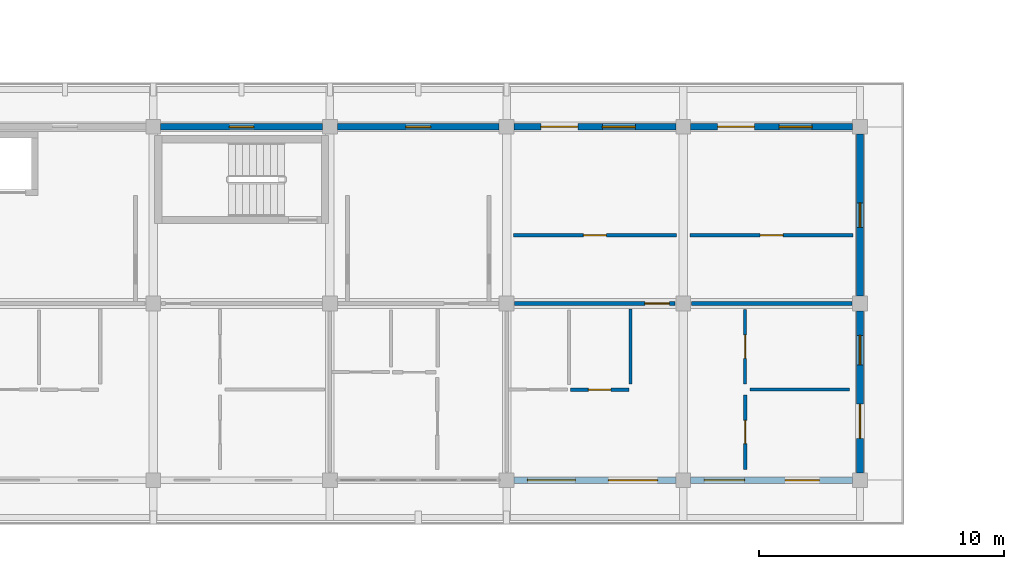
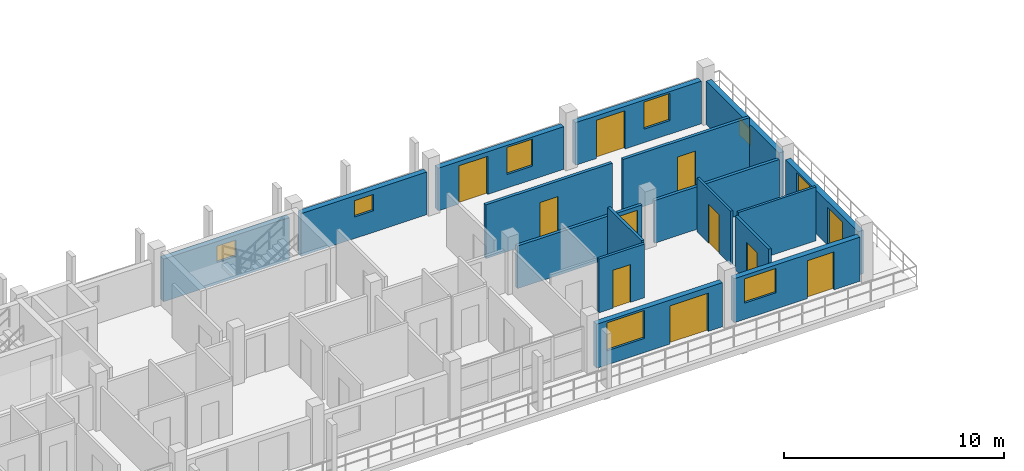
# One storey, part 41 of 76: 17 walls, 11 doors, 8 windows, 19 openings.
"""IFC4 building model written with IfcOpenShell, lengths in metres."""

from ifc_helpers import new_model, si_unit, direction, frame, frame_2d, origin, place, context, subcontext, project, spatial, rectangle, extrude, material, layer, layer_set, type_object, element, fill, save


model = new_model("IFC4")

# Units and contexts
model_context = context("Model", 3, precision=1e-05, world=origin(), true_north=direction((0.0, 1.0)))
body_context = subcontext(model_context, "Body", "Model", "MODEL_VIEW")
ifc_project = project(units=[si_unit("LENGTHUNIT", "METRE"), si_unit("AREAUNIT", "SQUARE_METRE"), si_unit("VOLUMEUNIT", "CUBIC_METRE"), si_unit("PLANEANGLEUNIT", "RADIAN"), si_unit("MASSUNIT", "GRAM", prefix="KILO")], contexts=[model_context])

# Site, building, storey
site_placement = place(None, origin())
site = spatial("IfcSite", under=ifc_project, at=site_placement, CompositionType="ELEMENT")
building_placement = place(site_placement, origin())
building = spatial("IfcBuilding", under=site, at=building_placement, Name="Suanplinth Sawtooth Commons", CompositionType="ELEMENT")
storey_placement = place(building_placement, frame((0.0, 0.0, 12.199951171875)))
storey = spatial("IfcBuildingStorey", under=building, at=storey_placement, Name="L03", CompositionType="ELEMENT", Elevation=12.199951171875)

# Wall, opening, window
ifc_material_1 = material(Name="Precast concrete C40/50", Category="concrete")
ifc_layer_1 = layer(ifc_material_1, 0.280029296875, Name="Insulated precast architectural facade wall 280mm")
ifc_layer_set_1 = layer_set([ifc_layer_1], Name="Precast concrete C40/50")
wall_type_1 = type_object("IfcWallType", Name="W-EX01", PredefinedType="ELEMENTEDWALL", material=ifc_layer_set_1)
wall_1_placement = place(storey_placement, frame((29.10009765625, 14.39990234375, 0.0), z_axis=(0.0, 0.0, 1.0), x_axis=(1.0, 0.0, 0.0)))
wall_1 = element("IfcWall", 1, at=wall_1_placement, inside=storey, type_object=wall_type_1, Name="Facade Wall W-L03-D-N-4-1", PredefinedType="ELEMENTEDWALL", context=body_context, shape_type="SweptSolid", body=[
    extrude(rectangle(XDim=6.599853515625, YDim=0.280029296875, at=frame_2d((3.2998046875, 0.0))), origin(), (0.0, 0.0, 1.0), 2.364990234375),
])
opening_1_placement = place(wall_1_placement, frame((2.800048828125, 0.0, 1.199951171875)))
opening_1 = element("IfcOpeningElement", 2, at=opening_1_placement, cuts=wall_1, Name="Opening W0406", PredefinedType="OPENING", context=body_context, shape_type="SweptSolid", body=[
    extrude(rectangle(XDim=1.0, YDim=0.89990234375, at=frame_2d((0.5, 0.449951171875))), frame((0.0, 0.15478515625, 0.0), z_axis=(0.0, -1.0, 0.0), x_axis=(1.0, 0.0, 0.0)), (0.0, 0.0, 1.0), 0.309814453125),
])
ifc_material_2 = material(Name="Thermally broken aluminium and low-E double glazing", Category="aluminium")
window_type_1 = type_object("IfcWindowType", Name="WN-12", PartitioningType="SINGLE_PANEL", PredefinedType="WINDOW", material=ifc_material_2)
window_1_placement = place(opening_1_placement, origin())
window_1 = element("IfcWindow", 3, at=window_1_placement, inside=storey, type_object=window_type_1, Name="Core Daylight Window L03-D-4-1", OverallHeight=0.89990234375, OverallWidth=1.0, PartitioningType="SINGLE_PANEL", PredefinedType="WINDOW", context=body_context, shape_type="SweptSolid", body=[
    extrude(rectangle(XDim=1.0, YDim=0.89990234375, at=frame_2d((0.5, 0.449951171875))), frame((0.0, 0.030029296875, 0.0), z_axis=(0.0, -1.0, 0.0), x_axis=(1.0, 0.0, 0.0)), (0.0, 0.0, 1.0), 0.06005859375),
])
fill(opening_1, window_1)

wall_2_placement = place(storey_placement, frame((36.300048828125, 14.39990234375, 0.0), z_axis=(0.0, 0.0, 1.0), x_axis=(1.0, 0.0, 0.0)))
wall_2 = element("IfcWall", 4, at=wall_2_placement, inside=storey, type_object=wall_type_1, Name="Facade Wall W-L03-D-N-5-1", PredefinedType="ELEMENTEDWALL", context=body_context, shape_type="SweptSolid", body=[
    extrude(rectangle(XDim=6.599853515625, YDim=0.280029296875, at=frame_2d((3.2998046875, 0.0))), origin(), (0.0, 0.0, 1.0), 2.364990234375),
])
opening_2_placement = place(wall_2_placement, frame((2.800048828125, 0.0, 1.199951171875)))
opening_2 = element("IfcOpeningElement", 5, at=opening_2_placement, cuts=wall_2, Name="Opening W0407", PredefinedType="OPENING", context=body_context, shape_type="SweptSolid", body=[
    extrude(rectangle(XDim=1.0, YDim=0.89990234375, at=frame_2d((0.5, 0.449951171875))), frame((0.0, 0.15478515625, 0.0), z_axis=(0.0, -1.0, 0.0), x_axis=(1.0, 0.0, 0.0)), (0.0, 0.0, 1.0), 0.309814453125),
])
window_2_placement = place(opening_2_placement, origin())
window_2 = element("IfcWindow", 6, at=window_2_placement, inside=storey, type_object=window_type_1, Name="Core Daylight Window L03-D-5-1", OverallHeight=0.89990234375, OverallWidth=1.0, PartitioningType="SINGLE_PANEL", PredefinedType="WINDOW", context=body_context, shape_type="SweptSolid", body=[
    extrude(rectangle(XDim=1.0, YDim=0.89990234375, at=frame_2d((0.5, 0.449951171875))), frame((0.0, 0.030029296875, 0.0), z_axis=(0.0, -1.0, 0.0), x_axis=(1.0, 0.0, 0.0)), (0.0, 0.0, 1.0), 0.06005859375),
])
fill(opening_2, window_2)

# Wall, openings, door, window
wall_3_placement = place(storey_placement, frame((43.5, 0.0, 0.0), z_axis=(0.0, 0.0, 1.0), x_axis=(1.0, 0.0, 0.0)))
wall_3 = element("IfcWall", 7, at=wall_3_placement, inside=storey, type_object=wall_type_1, Name="Facade Wall W-L03-D-S-6-0", PredefinedType="ELEMENTEDWALL", context=body_context, shape_type="SweptSolid", body=[
    extrude(rectangle(XDim=6.60009765625, YDim=0.280029296875, at=frame_2d((3.300048828125, 0.0))), origin(), (0.0, 0.0, 1.0), 2.445068359375),
])
opening_3_placement = place(wall_3_placement, frame((3.85009765625, 0.0, 0.0)))
opening_3 = element("IfcOpeningElement", 8, at=opening_3_placement, cuts=wall_3, Name="Opening ED0304", PredefinedType="OPENING", context=body_context, shape_type="SweptSolid", body=[
    extrude(rectangle(XDim=2.0, YDim=2.1201171875, at=frame_2d((1.0, 1.06005859375))), frame((0.0, 0.15478515625, 0.0), z_axis=(0.0, -1.0, 0.0), x_axis=(1.0, 0.0, 0.0)), (0.0, 0.0, 1.0), 0.309814453125),
])
opening_4_placement = place(wall_3_placement, frame((0.550048828125, 0.0, 0.784912109375)))
opening_4 = element("IfcOpeningElement", 9, at=opening_4_placement, cuts=wall_3, Name="Opening W0408", PredefinedType="OPENING", context=body_context, shape_type="SweptSolid", body=[
    extrude(rectangle(XDim=1.949951171875, YDim=1.550048828125, at=frame_2d((0.97509765625, 0.77490234375))), frame((0.0, 0.15478515625, 0.0), z_axis=(0.0, -1.0, 0.0), x_axis=(1.0, 0.0, 0.0)), (0.0, 0.0, 1.0), 0.309814453125),
])
ifc_material_3 = material(Name="Anodized aluminium and low-E glass", Category="aluminium")
door_type_1 = type_object("IfcDoorType", Name="SD-06", OperationType="DOUBLE_DOOR_SLIDING", PredefinedType="DOOR", material=ifc_material_3)
door_1_placement = place(opening_3_placement, frame((2.0, 0.0, 0.0), z_axis=(0.0, 0.0, 1.0), x_axis=(-1.0, 0.0, 0.0)))
door_1 = element("IfcDoor", 10, at=door_1_placement, inside=storey, type_object=door_type_1, Name="Balcony Sliding Door L03-D-6", OperationType="DOUBLE_DOOR_SLIDING", OverallHeight=2.1201171875, OverallWidth=2.0, PredefinedType="DOOR", context=body_context, shape_type="SweptSolid", body=[
    extrude(rectangle(XDim=2.0, YDim=2.1201171875, at=frame_2d((1.0, 1.06005859375))), frame((0.0, 0.02490234375, 0.0), z_axis=(0.0, -1.0, 0.0), x_axis=(1.0, 0.0, 0.0)), (0.0, 0.0, 1.0), 0.050048828125),
])
fill(opening_3, door_1)
window_type_2 = type_object("IfcWindowType", Name="WN-18", PartitioningType="DOUBLE_PANEL_VERTICAL", PredefinedType="WINDOW", material=ifc_material_2)
window_3_placement = place(opening_4_placement, origin())
window_3 = element("IfcWindow", 11, at=window_3_placement, inside=storey, type_object=window_type_2, Name="Apartment Window L03-D-6", OverallHeight=1.550048828125, OverallWidth=1.949951171875, PartitioningType="DOUBLE_PANEL_VERTICAL", PredefinedType="WINDOW", context=body_context, shape_type="SweptSolid", body=[
    extrude(rectangle(XDim=1.949951171875, YDim=1.550048828125, at=frame_2d((0.97509765625, 0.77490234375))), frame((0.0, 0.030029296875, 0.0), z_axis=(0.0, -1.0, 0.0), x_axis=(1.0, 0.0, 0.0)), (0.0, 0.0, 1.0), 0.06005859375),
])
fill(opening_4, window_3)

wall_4_placement = place(storey_placement, frame((43.5, 14.39990234375, 0.0), z_axis=(0.0, 0.0, 1.0), x_axis=(1.0, 0.0, 0.0)))
wall_4 = element("IfcWall", 12, at=wall_4_placement, inside=storey, type_object=wall_type_1, Name="Facade Wall W-L03-D-N-6-1", PredefinedType="ELEMENTEDWALL", context=body_context, shape_type="SweptSolid", body=[
    extrude(rectangle(XDim=6.60009765625, YDim=0.280029296875, at=frame_2d((3.300048828125, 0.0))), origin(), (0.0, 0.0, 1.0), 2.364990234375),
])
opening_5_placement = place(wall_4_placement, frame((1.10009765625, 0.0, 0.0)))
opening_5 = element("IfcOpeningElement", 13, at=opening_5_placement, cuts=wall_4, Name="Opening ED0305", PredefinedType="OPENING", context=body_context, shape_type="SweptSolid", body=[
    extrude(rectangle(XDim=1.5, YDim=2.1201171875, at=frame_2d((0.75, 1.06005859375))), frame((0.0, 0.15478515625, 0.0), z_axis=(0.0, -1.0, 0.0), x_axis=(1.0, 0.0, 0.0)), (0.0, 0.0, 1.0), 0.309814453125),
])
opening_6_placement = place(wall_4_placement, frame((3.60009765625, 0.0, 0.7548828125)))
opening_6 = element("IfcOpeningElement", 14, at=opening_6_placement, cuts=wall_4, Name="Opening W0409", PredefinedType="OPENING", context=body_context, shape_type="SweptSolid", body=[
    extrude(rectangle(XDim=1.35009765625, YDim=1.5, at=frame_2d((0.675048828125, 0.75))), frame((0.0, 0.15478515625, 0.0), z_axis=(0.0, -1.0, 0.0), x_axis=(1.0, 0.0, 0.0)), (0.0, 0.0, 1.0), 0.309814453125),
])
door_type_2 = type_object("IfcDoorType", Name="SD-03", OperationType="SLIDING_TO_LEFT", PredefinedType="DOOR", material=ifc_material_3)
door_2_placement = place(opening_5_placement, frame((1.5, 0.0, 0.0), z_axis=(0.0, 0.0, 1.0), x_axis=(-1.0, 0.0, 0.0)))
door_2 = element("IfcDoor", 15, at=door_2_placement, inside=storey, type_object=door_type_2, Name="Courtyard Balcony Door L03-D-6", OperationType="SLIDING_TO_LEFT", OverallHeight=2.1201171875, OverallWidth=1.5, PredefinedType="DOOR", context=body_context, shape_type="SweptSolid", body=[
    extrude(rectangle(XDim=1.5, YDim=2.1201171875, at=frame_2d((0.75, 1.06005859375))), frame((0.0, 0.02490234375, 0.0), z_axis=(0.0, -1.0, 0.0), x_axis=(1.0, 0.0, 0.0)), (0.0, 0.0, 1.0), 0.050048828125),
])
fill(opening_5, door_2)
window_type_3 = type_object("IfcWindowType", Name="WN-14", PartitioningType="SINGLE_PANEL", PredefinedType="WINDOW", material=ifc_material_2)
window_4_placement = place(opening_6_placement, origin())
window_4 = element("IfcWindow", 16, at=window_4_placement, inside=storey, type_object=window_type_3, Name="Courtyard Window L03-D-6", OverallHeight=1.5, OverallWidth=1.35009765625, PartitioningType="SINGLE_PANEL", PredefinedType="WINDOW", context=body_context, shape_type="SweptSolid", body=[
    extrude(rectangle(XDim=1.35009765625, YDim=1.5, at=frame_2d((0.675048828125, 0.75))), frame((0.0, 0.030029296875, 0.0), z_axis=(0.0, -1.0, 0.0), x_axis=(1.0, 0.0, 0.0)), (0.0, 0.0, 1.0), 0.06005859375),
])
fill(opening_6, window_4)

wall_5_placement = place(storey_placement, frame((50.699951171875, 0.0, 0.0), z_axis=(0.0, 0.0, 1.0), x_axis=(1.0, 0.0, 0.0)))
wall_5 = element("IfcWall", 17, at=wall_5_placement, inside=storey, type_object=wall_type_1, Name="Facade Wall W-L03-D-S-7-0", PredefinedType="ELEMENTEDWALL", context=body_context, shape_type="SweptSolid", body=[
    extrude(rectangle(XDim=6.60009765625, YDim=0.280029296875, at=frame_2d((3.300048828125, 0.0))), origin(), (0.0, 0.0, 1.0), 2.445068359375),
])
opening_7_placement = place(wall_5_placement, frame((3.85009765625, 0.0, 0.0)))
opening_7 = element("IfcOpeningElement", 18, at=opening_7_placement, cuts=wall_5, Name="Opening ED0306", PredefinedType="OPENING", context=body_context, shape_type="SweptSolid", body=[
    extrude(rectangle(XDim=1.39990234375, YDim=2.10009765625, at=frame_2d((0.699951171875, 1.050048828125))), frame((0.0, 0.15478515625, 0.0), z_axis=(0.0, -1.0, 0.0), x_axis=(1.0, 0.0, 0.0)), (0.0, 0.0, 1.0), 0.309814453125),
])
opening_8_placement = place(wall_5_placement, frame((0.550048828125, 0.0, 0.89990234375)))
opening_8 = element("IfcOpeningElement", 19, at=opening_8_placement, cuts=wall_5, Name="Opening W0410", PredefinedType="OPENING", context=body_context, shape_type="SweptSolid", body=[
    extrude(rectangle(XDim=1.64990234375, YDim=1.35009765625, at=frame_2d((0.824951171875, 0.675048828125))), frame((0.0, 0.15478515625, 0.0), z_axis=(0.0, -1.0, 0.0), x_axis=(1.0, 0.0, 0.0)), (0.0, 0.0, 1.0), 0.309814453125),
])
door_type_3 = type_object("IfcDoorType", Name="SD-07", OperationType="SLIDING_TO_RIGHT", PredefinedType="DOOR", material=ifc_material_3)
door_3_placement = place(opening_7_placement, frame((1.39990234375, 0.0, 0.0), z_axis=(0.0, 0.0, 1.0), x_axis=(-1.0, 0.0, 0.0)))
door_3 = element("IfcDoor", 20, at=door_3_placement, inside=storey, type_object=door_type_3, Name="Balcony Sliding Door L03-D-7", OperationType="SLIDING_TO_RIGHT", OverallHeight=2.10009765625, OverallWidth=1.39990234375, PredefinedType="DOOR", context=body_context, shape_type="SweptSolid", body=[
    extrude(rectangle(XDim=1.39990234375, YDim=2.10009765625, at=frame_2d((0.699951171875, 1.050048828125))), frame((0.0, 0.02490234375, 0.0), z_axis=(0.0, -1.0, 0.0), x_axis=(1.0, 0.0, 0.0)), (0.0, 0.0, 1.0), 0.050048828125),
])
fill(opening_7, door_3)
window_type_4 = type_object("IfcWindowType", Name="WN-19", PartitioningType="DOUBLE_PANEL_VERTICAL", PredefinedType="WINDOW", material=ifc_material_2)
window_5_placement = place(opening_8_placement, origin())
window_5 = element("IfcWindow", 21, at=window_5_placement, inside=storey, type_object=window_type_4, Name="Apartment Window L03-D-7", OverallHeight=1.35009765625, OverallWidth=1.64990234375, PartitioningType="DOUBLE_PANEL_VERTICAL", PredefinedType="WINDOW", context=body_context, shape_type="SweptSolid", body=[
    extrude(rectangle(XDim=1.64990234375, YDim=1.35009765625, at=frame_2d((0.824951171875, 0.675048828125))), frame((0.0, 0.030029296875, 0.0), z_axis=(0.0, -1.0, 0.0), x_axis=(1.0, 0.0, 0.0)), (0.0, 0.0, 1.0), 0.06005859375),
])
fill(opening_8, window_5)

wall_6_placement = place(storey_placement, frame((57.60009765625, 0.300048828125, 0.0), z_axis=(0.0, 0.0, 1.0), x_axis=(0.0, 1.0, 0.0)))
wall_6 = element("IfcWall", 22, at=wall_6_placement, inside=storey, type_object=wall_type_1, Name="Facade Wall W-L03-D-E-7-0", PredefinedType="ELEMENTEDWALL", context=body_context, shape_type="SweptSolid", body=[
    extrude(rectangle(XDim=6.599853515625, YDim=0.280029296875, at=frame_2d((3.2998046875, 0.0))), origin(), (0.0, 0.0, 1.0), 2.4150390625),
])
opening_9_placement = place(wall_6_placement, frame((1.39990234375, 0.0, 0.0)))
opening_9 = element("IfcOpeningElement", 23, at=opening_9_placement, cuts=wall_6, Name="Opening ED0307", PredefinedType="OPENING", context=body_context, shape_type="SweptSolid", body=[
    extrude(rectangle(XDim=1.39990234375, YDim=2.10009765625, at=frame_2d((0.699951171875, 1.050048828125))), frame((0.0, 0.15478515625, 0.0), z_axis=(0.0, -1.0, 0.0), x_axis=(1.0, 0.0, 0.0)), (0.0, 0.0, 1.0), 0.309814453125),
])
opening_10_placement = place(wall_6_placement, frame((4.39990234375, 0.0, 0.949951171875)))
opening_10 = element("IfcOpeningElement", 24, at=opening_10_placement, cuts=wall_6, Name="Opening W0411", PredefinedType="OPENING", context=body_context, shape_type="SweptSolid", body=[
    extrude(rectangle(XDim=1.199951171875, YDim=1.35009765625, at=frame_2d((0.60009765625, 0.675048828125))), frame((0.0, 0.15478515625, 0.0), z_axis=(0.0, -1.0, 0.0), x_axis=(1.0, 0.0, 0.0)), (0.0, 0.0, 1.0), 0.309814453125),
])
door_4_placement = place(opening_9_placement, frame((1.39990234375, 0.0, 0.0), z_axis=(0.0, 0.0, 1.0), x_axis=(-1.0, 0.0, 0.0)))
door_4 = element("IfcDoor", 25, at=door_4_placement, inside=storey, type_object=door_type_3, Name="End Balcony Sliding Door L03-D-E-7-0", OperationType="SLIDING_TO_RIGHT", OverallHeight=2.10009765625, OverallWidth=1.39990234375, PredefinedType="DOOR", context=body_context, shape_type="SweptSolid", body=[
    extrude(rectangle(XDim=1.39990234375, YDim=2.10009765625, at=frame_2d((0.699951171875, 1.050048828125))), frame((0.0, 0.02490234375, 0.0), z_axis=(0.0, -1.0, 0.0), x_axis=(1.0, 0.0, 0.0)), (0.0, 0.0, 1.0), 0.050048828125),
])
fill(opening_9, door_4)
window_type_5 = type_object("IfcWindowType", Name="WN-03", PartitioningType="SINGLE_PANEL", PredefinedType="WINDOW", material=ifc_material_2)
window_6_placement = place(opening_10_placement, origin())
window_6 = element("IfcWindow", 26, at=window_6_placement, inside=storey, type_object=window_type_5, Name="End Bedroom Window L03-D-7-0", OverallHeight=1.35009765625, OverallWidth=1.199951171875, PartitioningType="SINGLE_PANEL", PredefinedType="WINDOW", context=body_context, shape_type="SweptSolid", body=[
    extrude(rectangle(XDim=1.199951171875, YDim=1.35009765625, at=frame_2d((0.60009765625, 0.675048828125))), frame((0.0, 0.030029296875, 0.0), z_axis=(0.0, -1.0, 0.0), x_axis=(1.0, 0.0, 0.0)), (0.0, 0.0, 1.0), 0.06005859375),
])
fill(opening_10, window_6)

wall_7_placement = place(storey_placement, frame((50.699951171875, 14.39990234375, 0.0), z_axis=(0.0, 0.0, 1.0), x_axis=(1.0, 0.0, 0.0)))
wall_7 = element("IfcWall", 27, at=wall_7_placement, inside=storey, type_object=wall_type_1, Name="Facade Wall W-L03-D-N-7-1", PredefinedType="ELEMENTEDWALL", context=body_context, shape_type="SweptSolid", body=[
    extrude(rectangle(XDim=6.60009765625, YDim=0.280029296875, at=frame_2d((3.300048828125, 0.0))), origin(), (0.0, 0.0, 1.0), 2.364990234375),
])
opening_11_placement = place(wall_7_placement, frame((1.10009765625, 0.0, 0.0)))
opening_11 = element("IfcOpeningElement", 28, at=opening_11_placement, cuts=wall_7, Name="Opening ED0308", PredefinedType="OPENING", context=body_context, shape_type="SweptSolid", body=[
    extrude(rectangle(XDim=1.5, YDim=2.1201171875, at=frame_2d((0.75, 1.06005859375))), frame((0.0, 0.15478515625, 0.0), z_axis=(0.0, -1.0, 0.0), x_axis=(1.0, 0.0, 0.0)), (0.0, 0.0, 1.0), 0.309814453125),
])
opening_12_placement = place(wall_7_placement, frame((3.60009765625, 0.0, 0.7548828125)))
opening_12 = element("IfcOpeningElement", 29, at=opening_12_placement, cuts=wall_7, Name="Opening W0412", PredefinedType="OPENING", context=body_context, shape_type="SweptSolid", body=[
    extrude(rectangle(XDim=1.35009765625, YDim=1.5, at=frame_2d((0.675048828125, 0.75))), frame((0.0, 0.15478515625, 0.0), z_axis=(0.0, -1.0, 0.0), x_axis=(1.0, 0.0, 0.0)), (0.0, 0.0, 1.0), 0.309814453125),
])
door_5_placement = place(opening_11_placement, frame((1.5, 0.0, 0.0), z_axis=(0.0, 0.0, 1.0), x_axis=(-1.0, 0.0, 0.0)))
door_5 = element("IfcDoor", 30, at=door_5_placement, inside=storey, type_object=door_type_2, Name="Courtyard Balcony Door L03-D-7", OperationType="SLIDING_TO_LEFT", OverallHeight=2.1201171875, OverallWidth=1.5, PredefinedType="DOOR", context=body_context, shape_type="SweptSolid", body=[
    extrude(rectangle(XDim=1.5, YDim=2.1201171875, at=frame_2d((0.75, 1.06005859375))), frame((0.0, 0.02490234375, 0.0), z_axis=(0.0, -1.0, 0.0), x_axis=(1.0, 0.0, 0.0)), (0.0, 0.0, 1.0), 0.050048828125),
])
fill(opening_11, door_5)
window_7_placement = place(opening_12_placement, origin())
window_7 = element("IfcWindow", 31, at=window_7_placement, inside=storey, type_object=window_type_3, Name="Courtyard Window L03-D-7", OverallHeight=1.5, OverallWidth=1.35009765625, PartitioningType="SINGLE_PANEL", PredefinedType="WINDOW", context=body_context, shape_type="SweptSolid", body=[
    extrude(rectangle(XDim=1.35009765625, YDim=1.5, at=frame_2d((0.675048828125, 0.75))), frame((0.0, 0.030029296875, 0.0), z_axis=(0.0, -1.0, 0.0), x_axis=(1.0, 0.0, 0.0)), (0.0, 0.0, 1.0), 0.06005859375),
])
fill(opening_12, window_7)

# Wall, opening, window
wall_8_placement = place(storey_placement, frame((57.60009765625, 7.5, 0.0), z_axis=(0.0, 0.0, 1.0), x_axis=(0.0, 1.0, 0.0)))
wall_8 = element("IfcWall", 32, at=wall_8_placement, inside=storey, type_object=wall_type_1, Name="Facade Wall W-L03-D-E-7-1", PredefinedType="ELEMENTEDWALL", context=body_context, shape_type="SweptSolid", body=[
    extrude(rectangle(XDim=6.60009765625, YDim=0.280029296875, at=frame_2d((3.300048828125, 0.0))), origin(), (0.0, 0.0, 1.0), 2.4150390625),
])
opening_13_placement = place(wall_8_placement, frame((2.800048828125, 0.0, 1.10009765625)))
opening_13 = element("IfcOpeningElement", 33, at=opening_13_placement, cuts=wall_8, Name="Opening W0413", PredefinedType="OPENING", context=body_context, shape_type="SweptSolid", body=[
    extrude(rectangle(XDim=1.0, YDim=0.89990234375, at=frame_2d((0.5, 0.449951171875))), frame((0.0, 0.15478515625, 0.0), z_axis=(0.0, -1.0, 0.0), x_axis=(1.0, 0.0, 0.0)), (0.0, 0.0, 1.0), 0.309814453125),
])
window_8_placement = place(opening_13_placement, origin())
window_8 = element("IfcWindow", 34, at=window_8_placement, inside=storey, type_object=window_type_1, Name="End Window L03-D-E-7-1", OverallHeight=0.89990234375, OverallWidth=1.0, PartitioningType="SINGLE_PANEL", PredefinedType="WINDOW", context=body_context, shape_type="SweptSolid", body=[
    extrude(rectangle(XDim=1.0, YDim=0.89990234375, at=frame_2d((0.5, 0.449951171875))), frame((0.0, 0.030029296875, 0.0), z_axis=(0.0, -1.0, 0.0), x_axis=(1.0, 0.0, 0.0)), (0.0, 0.0, 1.0), 0.06005859375),
])
fill(opening_13, window_8)

# Wall, opening, door
ifc_layer_2 = layer(ifc_material_1, 0.159912109375, Name="Fire-rated corridor and lobby wall 160mm")
ifc_layer_set_2 = layer_set([ifc_layer_2], Name="Precast concrete C40/50")
wall_type_2 = type_object("IfcWallType", Name="W-FW01", PredefinedType="PARTITIONING", material=ifc_layer_set_2)
wall_9_placement = place(storey_placement, frame((43.530029296875, 7.199951171875, 0.0), z_axis=(0.0, 0.0, 1.0), x_axis=(1.0, 0.0, 0.0)))
wall_9 = element("IfcWall", 35, at=wall_9_placement, inside=storey, type_object=wall_type_2, Name="W-D-L03-U05-COR-S1", PredefinedType="PARTITIONING", context=body_context, shape_type="SweptSolid", body=[
    extrude(rectangle(XDim=6.5400390625, YDim=0.159912109375, at=frame_2d((3.27001953125, 0.0))), origin(), (0.0, 0.0, 1.0), 2.364990234375),
])
opening_14_placement = place(wall_9_placement, frame((5.300048828125, 0.0, 0.0)))
opening_14 = element("IfcOpeningElement", 36, at=opening_14_placement, cuts=wall_9, Name="Opening FD1022", PredefinedType="OPENING", context=body_context, shape_type="SweptSolid", body=[
    extrude(rectangle(XDim=1.0, YDim=2.14990234375, at=frame_2d((0.5, 1.074951171875))), frame((0.0, 0.0947265625, 0.0), z_axis=(0.0, -1.0, 0.0), x_axis=(1.0, 0.0, 0.0)), (0.0, 0.0, 1.0), 0.189697265625),
])
ifc_material_4 = material(Name="Teak hardwood fire-rated door assembly", Category="wood")
door_type_4 = type_object("IfcDoorType", Name="FD-03", OperationType="NOTDEFINED", PredefinedType="DOOR", material=ifc_material_4)
door_6_placement = place(opening_14_placement, frame((1.0, 0.0, 0.0), z_axis=(0.0, 0.0, 1.0), x_axis=(-1.0, 0.0, 0.0)))
door_6 = element("IfcDoor", 37, at=door_6_placement, inside=storey, type_object=door_type_4, Name="Unit Entrance Door FD1022", OperationType="SINGLE_SWING_RIGHT", OverallHeight=2.14990234375, OverallWidth=1.0, PredefinedType="DOOR", context=body_context, shape_type="SweptSolid", body=[
    extrude(rectangle(XDim=1.0, YDim=2.14990234375, at=frame_2d((0.5, 1.074951171875))), frame((0.0, 0.02490234375, 0.0), z_axis=(0.0, -1.0, 0.0), x_axis=(1.0, 0.0, 0.0)), (0.0, 0.0, 1.0), 0.050048828125),
])
fill(opening_14, door_6)

# Wall
wall_10_placement = place(storey_placement, frame((50.72998046875, 7.199951171875, 0.0), z_axis=(0.0, 0.0, 1.0), x_axis=(1.0, 0.0, 0.0)))
element("IfcWall", 38, at=wall_10_placement, inside=storey, type_object=wall_type_2, Name="W-D-L03-U05-COR-S2", PredefinedType="PARTITIONING", context=body_context, shape_type="SweptSolid", body=[
    extrude(rectangle(XDim=6.5400390625, YDim=0.159912109375, at=frame_2d((3.27001953125, 0.0))), origin(), (0.0, 0.0, 1.0), 2.364990234375),
])

# Wall, opening, door
wall_11_placement = place(storey_placement, frame((43.47998046875, 9.97998046875, 0.0), z_axis=(0.0, 0.0, 1.0), x_axis=(1.0, 0.0, 0.0)))
wall_11 = element("IfcWall", 39, at=wall_11_placement, inside=storey, type_object=wall_type_2, Name="W-D-L03-COURTROOM-64-COR", PredefinedType="PARTITIONING", context=body_context, shape_type="SweptSolid", body=[
    extrude(rectangle(XDim=6.64013671875, YDim=0.159912109375, at=frame_2d((3.320068359375, 0.0))), origin(), (0.0, 0.0, 1.0), 2.97998046875),
])
opening_15_placement = place(wall_11_placement, frame((2.85009765625, 0.0, 0.0)))
opening_15 = element("IfcOpeningElement", 40, at=opening_15_placement, cuts=wall_11, Name="Opening D1027", PredefinedType="OPENING", context=body_context, shape_type="SweptSolid", body=[
    extrude(rectangle(XDim=0.93994140625, YDim=2.1201171875, at=frame_2d((0.469970703125, 1.06005859375))), frame((0.0, 0.0947265625, 0.0), z_axis=(0.0, -1.0, 0.0), x_axis=(1.0, 0.0, 0.0)), (0.0, 0.0, 1.0), 0.189697265625),
])
ifc_material_5 = material(Name="Teak hardwood", Category="wood")
door_type_5 = type_object("IfcDoorType", Name="D-15", OperationType="NOTDEFINED", PredefinedType="DOOR", material=ifc_material_5)
door_7_placement = place(opening_15_placement, origin())
door_7 = element("IfcDoor", 41, at=door_7_placement, inside=storey, type_object=door_type_5, Name="Study Studio Door D1027", OperationType="SINGLE_SWING_LEFT", OverallHeight=2.1201171875, OverallWidth=0.93994140625, PredefinedType="DOOR", context=body_context, shape_type="SweptSolid", body=[
    extrude(rectangle(XDim=0.93994140625, YDim=2.1201171875, at=frame_2d((0.469970703125, 1.06005859375))), frame((0.0, 0.02490234375, 0.0), z_axis=(0.0, -1.0, 0.0), x_axis=(1.0, 0.0, 0.0)), (0.0, 0.0, 1.0), 0.050048828125),
])
fill(opening_15, door_7)

wall_12_placement = place(storey_placement, frame((50.679931640625, 9.97998046875, 0.0), z_axis=(0.0, 0.0, 1.0), x_axis=(1.0, 0.0, 0.0)))
wall_12 = element("IfcWall", 42, at=wall_12_placement, inside=storey, type_object=wall_type_2, Name="W-D-L03-COURTROOM-65-COR", PredefinedType="PARTITIONING", context=body_context, shape_type="SweptSolid", body=[
    extrude(rectangle(XDim=6.64013671875, YDim=0.159912109375, at=frame_2d((3.320068359375, 0.0))), origin(), (0.0, 0.0, 1.0), 2.97998046875),
])
opening_16_placement = place(wall_12_placement, frame((2.85009765625, 0.0, 0.0)))
opening_16 = element("IfcOpeningElement", 43, at=opening_16_placement, cuts=wall_12, Name="Opening D1028", PredefinedType="OPENING", context=body_context, shape_type="SweptSolid", body=[
    extrude(rectangle(XDim=0.93994140625, YDim=2.1201171875, at=frame_2d((0.469970703125, 1.06005859375))), frame((0.0, 0.0947265625, 0.0), z_axis=(0.0, -1.0, 0.0), x_axis=(1.0, 0.0, 0.0)), (0.0, 0.0, 1.0), 0.189697265625),
])
door_8_placement = place(opening_16_placement, origin())
door_8 = element("IfcDoor", 44, at=door_8_placement, inside=storey, type_object=door_type_5, Name="Study Studio Door D1028", OperationType="SINGLE_SWING_RIGHT", OverallHeight=2.1201171875, OverallWidth=0.93994140625, PredefinedType="DOOR", context=body_context, shape_type="SweptSolid", body=[
    extrude(rectangle(XDim=0.93994140625, YDim=2.1201171875, at=frame_2d((0.469970703125, 1.06005859375))), frame((0.0, 0.02490234375, 0.0), z_axis=(0.0, -1.0, 0.0), x_axis=(1.0, 0.0, 0.0)), (0.0, 0.0, 1.0), 0.050048828125),
])
fill(opening_16, door_8)

ifc_material_6 = material(Name="Gypsum plasterboard on steel stud", Category="steel")
ifc_layer_3 = layer(ifc_material_6, 0.139892578125, Name="Fire-rated kitchen partition 140mm")
ifc_layer_set_3 = layer_set([ifc_layer_3], Name="Gypsum plasterboard on steel stud")
wall_type_3 = type_object("IfcWallType", Name="W-PT01", PredefinedType="PARTITIONING", material=ifc_layer_set_3)
wall_13_placement = place(storey_placement, frame((45.800048828125, 3.68994140625, 0.0), z_axis=(0.0, 0.0, 1.0), x_axis=(1.0, 0.0, 0.0)))
wall_13 = element("IfcWall", 45, at=wall_13_placement, inside=storey, type_object=wall_type_3, Name="W-D-L03-U05-KIT1", PredefinedType="PARTITIONING", context=body_context, shape_type="SweptSolid", body=[
    extrude(rectangle(XDim=2.3798828125, YDim=0.139892578125, at=frame_2d((1.18994140625, 0.0))), origin(), (0.0, 0.0, 1.0), 2.97998046875),
])
opening_17_placement = place(wall_13_placement, frame((0.72998046875, 0.0, 0.0)))
opening_17 = element("IfcOpeningElement", 46, at=opening_17_placement, cuts=wall_13, Name="Opening D1024", PredefinedType="OPENING", context=body_context, shape_type="SweptSolid", body=[
    extrude(rectangle(XDim=0.919921875, YDim=2.10009765625, at=frame_2d((0.4599609375, 1.050048828125))), frame((0.0, 0.0849609375, 0.0), z_axis=(0.0, -1.0, 0.0), x_axis=(1.0, 0.0, 0.0)), (0.0, 0.0, 1.0), 0.169677734375),
])
door_type_6 = type_object("IfcDoorType", Name="D-02", OperationType="NOTDEFINED", PredefinedType="DOOR", material=ifc_material_5)
door_9_placement = place(opening_17_placement, origin())
door_9 = element("IfcDoor", 47, at=door_9_placement, inside=storey, type_object=door_type_6, Name="Kitchen Door D1024", OperationType="SINGLE_SWING_RIGHT", OverallHeight=2.10009765625, OverallWidth=0.919921875, PredefinedType="DOOR", context=body_context, shape_type="SweptSolid", body=[
    extrude(rectangle(XDim=0.919921875, YDim=2.10009765625, at=frame_2d((0.4599609375, 1.050048828125))), frame((0.0, 0.02490234375, 0.0), z_axis=(0.0, -1.0, 0.0), x_axis=(1.0, 0.0, 0.0)), (0.0, 0.0, 1.0), 0.050048828125),
])
fill(opening_17, door_9)

# Wall
wall_14_placement = place(storey_placement, frame((48.25, 3.909912109375, 0.0), z_axis=(0.0, 0.0, 1.0), x_axis=(0.0, 1.0, 0.0)))
element("IfcWall", 48, at=wall_14_placement, inside=storey, type_object=wall_type_3, Name="W-D-L03-U05-KIT2", PredefinedType="PARTITIONING", context=body_context, shape_type="SweptSolid", body=[
    extrude(rectangle(XDim=3.06005859375, YDim=0.139892578125, at=frame_2d((1.530029296875, 0.0))), origin(), (0.0, 0.0, 1.0), 2.97998046875),
])

# Wall, opening, door
ifc_layer_4 = layer(ifc_material_6, 0.1201171875, Name="Acoustic bedroom partition 120mm")
ifc_layer_set_4 = layer_set([ifc_layer_4], Name="Gypsum plasterboard on steel stud")
wall_type_4 = type_object("IfcWallType", Name="W-PT03", PredefinedType="PARTITIONING", material=ifc_layer_set_4)
wall_15_placement = place(storey_placement, frame((52.919921875, 3.919921875, 0.0), z_axis=(0.0, 0.0, 1.0), x_axis=(0.0, 1.0, 0.0)))
wall_15 = element("IfcWall", 49, at=wall_15_placement, inside=storey, type_object=wall_type_4, Name="W-D-L03-U05-BED2", PredefinedType="PARTITIONING", context=body_context, shape_type="SweptSolid", body=[
    extrude(rectangle(XDim=3.0400390625, YDim=0.1201171875, at=frame_2d((1.52001953125, 0.0))), origin(), (0.0, 0.0, 1.0), 2.97998046875),
])
opening_18_placement = place(wall_15_placement, frame((1.0400390625, 0.0, 0.0)))
opening_18 = element("IfcOpeningElement", 50, at=opening_18_placement, cuts=wall_15, Name="Opening D1026", PredefinedType="OPENING", context=body_context, shape_type="SweptSolid", body=[
    extrude(rectangle(XDim=0.9599609375, YDim=2.14990234375, at=frame_2d((0.47998046875, 1.074951171875))), frame((0.0, 0.074951171875, 0.0), z_axis=(0.0, -1.0, 0.0), x_axis=(1.0, 0.0, 0.0)), (0.0, 0.0, 1.0), 0.14990234375),
])
door_type_7 = type_object("IfcDoorType", Name="D-13", OperationType="NOTDEFINED", PredefinedType="DOOR", material=ifc_material_5)
door_10_placement = place(opening_18_placement, frame((0.9599609375, 0.0, 0.0), z_axis=(0.0, 0.0, 1.0), x_axis=(-1.0, 0.0, 0.0)))
door_10 = element("IfcDoor", 51, at=door_10_placement, inside=storey, type_object=door_type_7, Name="Second Bedroom Door D1026", OperationType="SINGLE_SWING_RIGHT", OverallHeight=2.14990234375, OverallWidth=0.9599609375, PredefinedType="DOOR", context=body_context, shape_type="SweptSolid", body=[
    extrude(rectangle(XDim=0.9599609375, YDim=2.14990234375, at=frame_2d((0.47998046875, 1.074951171875))), frame((0.0, 0.02490234375, 0.0), z_axis=(0.0, -1.0, 0.0), x_axis=(1.0, 0.0, 0.0)), (0.0, 0.0, 1.0), 0.050048828125),
])
fill(opening_18, door_10)

# Wall
ifc_layer_5 = layer(ifc_material_6, 0.125, Name="Acoustic study partition 125mm")
ifc_layer_set_5 = layer_set([ifc_layer_5], Name="Gypsum plasterboard on steel stud")
wall_type_5 = type_object("IfcWallType", Name="W-PT06", PredefinedType="PARTITIONING", material=ifc_layer_set_5)
wall_16_placement = place(storey_placement, frame((53.1201171875, 3.699951171875, 0.0), z_axis=(0.0, 0.0, 1.0), x_axis=(1.0, 0.0, 0.0)))
element("IfcWall", 52, at=wall_16_placement, inside=storey, type_object=wall_type_5, Name="W-D-L03-U05-BEDDIV", PredefinedType="PARTITIONING", context=body_context, shape_type="SweptSolid", body=[
    extrude(rectangle(XDim=4.059814453125, YDim=0.125, at=frame_2d((2.02978515625, 0.0))), origin(), (0.0, 0.0, 1.0), 2.97998046875),
])

# Wall, opening, door
ifc_layer_6 = layer(ifc_material_6, 0.135009765625, Name="Insulated bedroom demising partition 135mm")
ifc_layer_set_6 = layer_set([ifc_layer_6], Name="Gypsum plasterboard on steel stud")
wall_type_6 = type_object("IfcWallType", Name="W-PT07", PredefinedType="PARTITIONING", material=ifc_layer_set_6)
wall_17_placement = place(storey_placement, frame((52.919921875, 0.43994140625, 0.0), z_axis=(0.0, 0.0, 1.0), x_axis=(0.0, 1.0, 0.0)))
wall_17 = element("IfcWall", 53, at=wall_17_placement, inside=storey, type_object=wall_type_6, Name="W-D-L03-U05-BED1", PredefinedType="PARTITIONING", context=body_context, shape_type="SweptSolid", body=[
    extrude(rectangle(XDim=3.0400390625, YDim=0.135009765625, at=frame_2d((1.52001953125, 0.0))), origin(), (0.0, 0.0, 1.0), 2.97998046875),
])
opening_19_placement = place(wall_17_placement, frame((1.044921875, 0.0, 0.0)))
opening_19 = element("IfcOpeningElement", 54, at=opening_19_placement, cuts=wall_17, Name="Opening D1025", PredefinedType="OPENING", context=body_context, shape_type="SweptSolid", body=[
    extrude(rectangle(XDim=0.949951171875, YDim=2.14990234375, at=frame_2d((0.47509765625, 1.074951171875))), frame((0.0, 0.08251953125, 0.0), z_axis=(0.0, -1.0, 0.0), x_axis=(1.0, 0.0, 0.0)), (0.0, 0.0, 1.0), 0.164794921875),
])
door_type_8 = type_object("IfcDoorType", Name="D-03", OperationType="NOTDEFINED", PredefinedType="DOOR", material=ifc_material_5)
door_11_placement = place(opening_19_placement, frame((0.949951171875, 0.0, 0.0), z_axis=(0.0, 0.0, 1.0), x_axis=(-1.0, 0.0, 0.0)))
door_11 = element("IfcDoor", 55, at=door_11_placement, inside=storey, type_object=door_type_8, Name="Bedroom Door D1025", OperationType="SINGLE_SWING_LEFT", OverallHeight=2.14990234375, OverallWidth=0.949951171875, PredefinedType="DOOR", context=body_context, shape_type="SweptSolid", body=[
    extrude(rectangle(XDim=0.949951171875, YDim=2.14990234375, at=frame_2d((0.47509765625, 1.074951171875))), frame((0.0, 0.02490234375, 0.0), z_axis=(0.0, -1.0, 0.0), x_axis=(1.0, 0.0, 0.0)), (0.0, 0.0, 1.0), 0.050048828125),
])
fill(opening_19, door_11)

save(model, "model.ifc")
